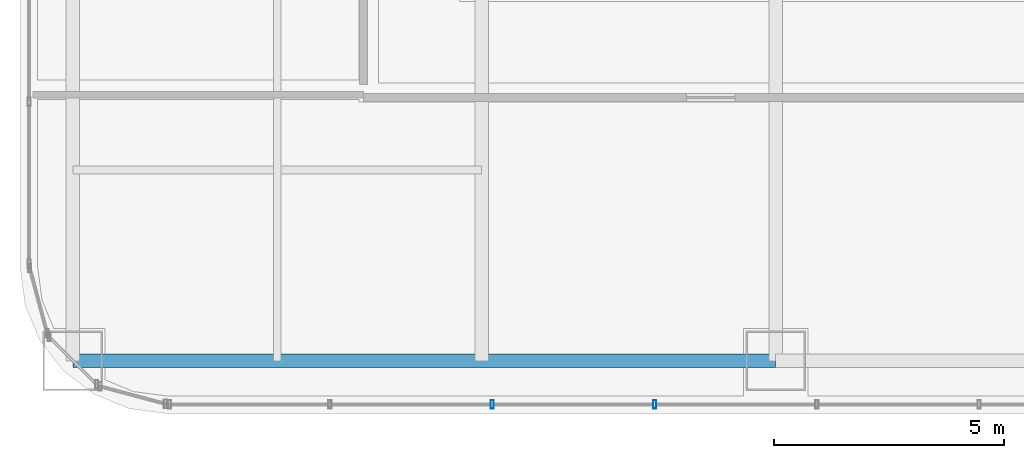
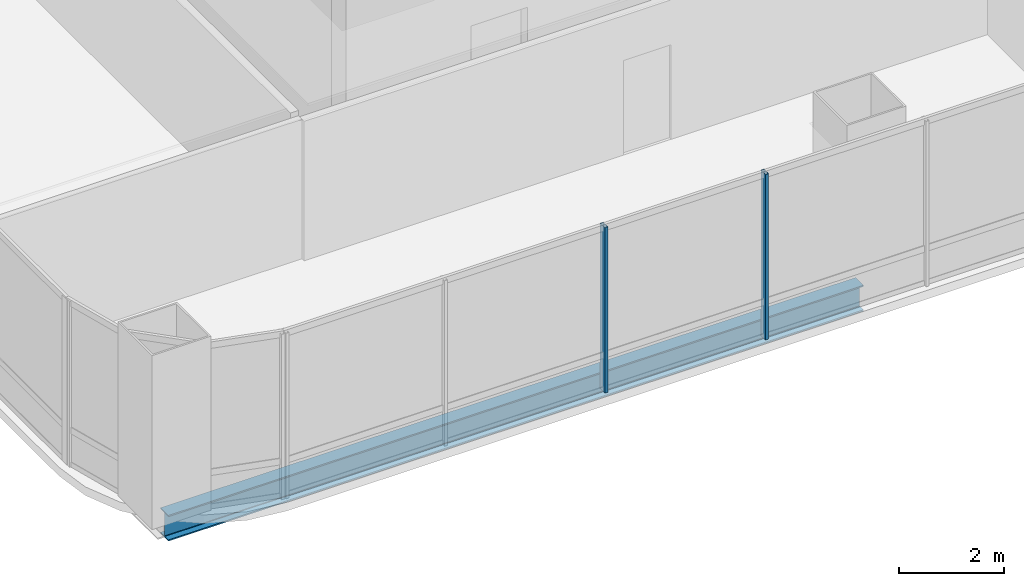
# One storey, part 3 of 39: 2 members, 1 beam, 1 element without a shape of its own.
"""IFC4 building model written with IfcOpenShell, lengths in metres."""

import ifcopenshell
import ifcopenshell.guid

model = None  # the IFC model being written
_history = None  # IfcOwnerHistory: only IFC2X3 demands one
_inside = {}  # id of a spatial element -> (the spatial element, [elements in it])
_under = {}  # id of a project, library or spatial element -> (it, [spatial elements below it])
_declared = {}  # id of a project -> (the project, [libraries it declares])
_typed = {}  # id of a type object -> (the type object, [elements of that type])
_made_of = {}  # id of a material, layer set ... -> (it, [elements and type objects made of it])


def new_model(schema):
    """Start an empty IFC model of exactly this schema.

    Asked for "IFC4X3", IfcOpenShell would pick the latest addendum, in which some entities
    have other attributes; the version numbers below select the first issue.
    IFC2X3 requires an IfcOwnerHistory on every rooted entity: one is made here for all.
    """
    global model, _history
    if schema == "IFC4X3":
        model = ifcopenshell.file(schema_version=(4, 3, 0, 0))
    else:
        model = ifcopenshell.file(schema=schema)
    _inside.clear()
    _under.clear()
    _declared.clear()
    _typed.clear()
    _made_of.clear()
    _history = None
    if model.schema == "IFC2X3":
        org = make("IfcOrganization", Name="unknown")
        user = make(
            "IfcPersonAndOrganization",
            ThePerson=make("IfcPerson", FamilyName="unknown"),
            TheOrganization=org,
        )
        app = make(
            "IfcApplication",
            ApplicationDeveloper=org,
            Version="unknown",
            ApplicationFullName="unknown",
            ApplicationIdentifier="unknown",
        )
        _history = make(
            "IfcOwnerHistory",
            OwningUser=user,
            OwningApplication=app,
            ChangeAction="ADDED",
            CreationDate=0,
        )
    return model


def make(cls, **values):
    """One entity of the class cls with the attributes given. An attribute that is None is left unset."""
    return model.create_entity(
        cls, **{name: value for name, value in values.items() if value is not None}
    )


def rooted(cls, **values):
    """An entity with a GlobalId (a new one), such as an element, a storey or a relation."""
    return make(cls, GlobalId=ifcopenshell.guid.new(), OwnerHistory=_history, **values)


def si_unit(unit_type, name, prefix=None):
    """IfcSIUnit, for example si_unit("LENGTHUNIT", "METRE", prefix="MILLI")."""
    return make("IfcSIUnit", UnitType=unit_type, Prefix=prefix, Name=name)


def assignment(units):
    """IfcUnitAssignment: the units of a project."""
    return None if units is None else make("IfcUnitAssignment", Units=units)


def point(xyz):
    """IfcCartesianPoint."""
    return None if xyz is None else make("IfcCartesianPoint", Coordinates=xyz)


def direction(xyz):
    """IfcDirection."""
    return None if xyz is None else make("IfcDirection", DirectionRatios=xyz)


def frame(location, z_axis=None, x_axis=None):
    """IfcAxis2Placement3D, a coordinate frame: its origin and axes. An axis left out is left unset."""
    return make(
        "IfcAxis2Placement3D",
        Location=point(location),
        Axis=direction(z_axis),
        RefDirection=direction(x_axis),
    )


def frame_2d(location, x_axis=None):
    """IfcAxis2Placement2D, a coordinate frame in the plane: its origin and x axis."""
    return make(
        "IfcAxis2Placement2D", Location=point(location), RefDirection=direction(x_axis)
    )


def origin():
    """The frame at (0, 0, 0) with its axes left unset."""
    return frame((0.0, 0.0, 0.0))


def origin_2d():
    """The frame at (0, 0) in the plane with its x axis left unset."""
    return frame_2d((0.0, 0.0))


def place(relative_to, where):
    """IfcLocalPlacement: puts the frame where relative to a parent placement (None: the world)."""
    return make(
        "IfcLocalPlacement", PlacementRelTo=relative_to, RelativePlacement=where
    )


def context(
    kind, dimensions, precision=None, world=None, true_north=None, identifier=None
):
    """IfcGeometricRepresentationContext, for example the 3D "Model" context."""
    return make(
        "IfcGeometricRepresentationContext",
        ContextIdentifier=identifier,
        ContextType=kind,
        CoordinateSpaceDimension=dimensions,
        Precision=precision,
        WorldCoordinateSystem=world,
        TrueNorth=true_north,
    )


def subcontext(parent, identifier, kind, view, scale=None):
    """IfcGeometricRepresentationSubContext, for example "Body" below "Model"."""
    return make(
        "IfcGeometricRepresentationSubContext",
        ContextIdentifier=identifier,
        ContextType=kind,
        ParentContext=parent,
        TargetScale=scale,
        TargetView=view,
    )


def project(units=None, contexts=None):
    """IfcProject with its units and contexts."""
    return rooted(
        "IfcProject",
        Name="project",
        RepresentationContexts=contexts,
        UnitsInContext=assignment(units),
    )


def spatial(cls, under=None, at=None, **own):
    """A site, building, storey or space (cls), placed at a placement, below another one or the project."""
    s = rooted(cls, ObjectPlacement=at, **own)
    if under is not None:
        _under.setdefault(under.id(), (under, []))[1].append(s)
    return s


def profile(cls, at=None, kind="AREA", **sizes):
    """A parametric profile (cls). Its sizes go by their IFC names, for example OverallWidth=200.0."""
    return make(cls, ProfileType=kind, Position=at, **sizes)


def hollow_rectangle(**sizes):
    """IfcRectangleHollowProfileDef."""
    return profile("IfcRectangleHollowProfileDef", **sizes)


def i_section(**sizes):
    """IfcIShapeProfileDef."""
    return profile("IfcIShapeProfileDef", **sizes)


def extrude(swept, where, along, depth):
    """IfcExtrudedAreaSolid: the profile swept, set in the frame where, extruded along a direction by depth."""
    return make(
        "IfcExtrudedAreaSolid",
        SweptArea=swept,
        Position=where,
        ExtrudedDirection=direction(along),
        Depth=depth,
    )


def shape(context_of_items, identifier, shape_type, items):
    """IfcShapeRepresentation: the items that make up one representation, for example the "Body"."""
    return make(
        "IfcShapeRepresentation",
        ContextOfItems=context_of_items,
        RepresentationIdentifier=identifier,
        RepresentationType=shape_type,
        Items=items,
    )


def material(Name=None, Category=None):
    """IfcMaterial."""
    return make("IfcMaterial", Name=Name, Category=Category)


def material_profile(
    of_material, cross_section, Name=None, Category=None, Priority=None
):
    """IfcMaterialProfile: a cross section and its material."""
    return make(
        "IfcMaterialProfile",
        Name=Name,
        Material=of_material,
        Profile=cross_section,
        Priority=Priority,
        Category=Category,
    )


def profile_set(profiles, Name=None, composite=None):
    """IfcMaterialProfileSet."""
    return make(
        "IfcMaterialProfileSet",
        Name=Name,
        MaterialProfiles=profiles,
        CompositeProfile=composite,
    )


def made_of(thing, what):
    """Note that an element or type object is made of a material, layer set ...; save() writes the relation."""
    if what is not None:
        _made_of.setdefault(what.id(), (what, []))[1].append(thing)
    return thing


def type_object(cls, material=None, **own):
    """A type object (cls), such as IfcWallType, which elements share."""
    return made_of(rooted(cls, **own), material)


def element(
    cls,
    number,
    at=None,
    inside=None,
    cuts=None,
    type_object=None,
    material=None,
    context=None,
    identifier="Body",
    shape_type=None,
    held_by="IfcProductDefinitionShape",
    body=None,
    shapes=None,
    **own,
):
    """One element of the class cls, such as IfcWall. Its Tag is "e" and its number.

    at: its placement. inside: the storey or other place that contains it. cuts: it is an
    opening in that element (IfcRelVoidsElement). A single representation is given by context,
    identifier, shape_type and body (its items); several are given by shapes. held_by: the class
    of the entity that holds the representations. save() writes the other relations.
    """
    e = rooted(cls, Tag="e%d" % number, ObjectPlacement=at, **own)
    if body is not None:
        shapes = [shape(context, identifier, shape_type, body)]
    if shapes is not None:
        e.Representation = make(held_by, Representations=shapes)
    if inside is not None:
        _inside.setdefault(inside.id(), (inside, []))[1].append(e)
    if cuts is not None:
        rooted(
            "IfcRelVoidsElement", RelatingBuildingElement=cuts, RelatedOpeningElement=e
        )
    if type_object is not None:
        _typed.setdefault(type_object.id(), (type_object, []))[1].append(e)
    return made_of(e, material)


def aggregate(whole, parts):
    """IfcRelAggregates: a whole, such as a stair, and the parts it consists of."""
    return rooted("IfcRelAggregates", RelatingObject=whole, RelatedObjects=parts)


def save(model, path):
    """Write the relations noted so far, then the file.

    IfcRelAggregates (storeys below a building ...), IfcRelContainedInSpatialStructure (elements
    in a storey), IfcRelDefinesByType, IfcRelAssociatesMaterial and IfcRelDeclares: one each for
    every whole, place, type object, material and project.
    """
    for whole, parts in _under.values():
        aggregate(whole, parts)
    for where, things in _inside.values():
        rooted(
            "IfcRelContainedInSpatialStructure",
            RelatedElements=things,
            RelatingStructure=where,
        )
    for kind, things in _typed.values():
        rooted("IfcRelDefinesByType", RelatedObjects=things, RelatingType=kind)
    for what, things in _made_of.values():
        rooted("IfcRelAssociatesMaterial", RelatedObjects=things, RelatingMaterial=what)
    for by, libraries in _declared.values():
        rooted("IfcRelDeclares", RelatingContext=by, RelatedDefinitions=libraries)
    model.write(path)


model = new_model("IFC4")

# Units and contexts
model_context = context("Model", 3, precision=1e-05, world=origin(), true_north=direction((0.0, 1.0)))
body_context = subcontext(model_context, "Body", "Model", "MODEL_VIEW")
ifc_project = project(units=[si_unit("LENGTHUNIT", "METRE"), si_unit("AREAUNIT", "SQUARE_METRE"), si_unit("VOLUMEUNIT", "CUBIC_METRE"), si_unit("PLANEANGLEUNIT", "RADIAN"), si_unit("MASSUNIT", "GRAM", prefix="KILO")], contexts=[model_context])

# Site, building, storey
site_placement = place(None, origin())
site = spatial("IfcSite", under=ifc_project, at=site_placement, CompositionType="ELEMENT")
building_placement = place(site_placement, origin())
building = spatial("IfcBuilding", under=site, at=building_placement, Name="Punatoya Terracotta Tower", CompositionType="ELEMENT")
storey_placement = place(building_placement, frame((0.0, 0.0, 275.699951171875)))
storey = spatial("IfcBuildingStorey", under=building, at=storey_placement, Name="L65", CompositionType="ELEMENT", Elevation=275.699951171875)

# Beam
ifc_material_1 = material(Name="Steel S355", Category="steel")
ifc_material_profile_1 = material_profile(ifc_material_1, i_section(OverallWidth=0.300048828125, OverallDepth=0.60009765625, WebThickness=0.015380859375, FlangeThickness=0.030029296875, FilletRadius=0.01806640625, at=origin_2d()))
ifc_profile_set_1 = profile_set([ifc_material_profile_1], Name="Steel S355")
beam_type = type_object("IfcBeamType", Name="BM-PRI-600", PredefinedType="BEAM", material=ifc_profile_set_1)
beam_placement = place(storey_placement, frame((-19.10009765625, -17.5, -0.5), z_axis=(1.0, 0.0, 0.0), x_axis=(0.0, 1.0, 0.0)))
element("IfcBeam", 1, at=beam_placement, inside=storey, type_object=beam_type, Name="BM-L65-RG-S1", PredefinedType="BEAM", context=body_context, shape_type="SweptSolid", body=[
    extrude(i_section(OverallWidth=0.300048828125, OverallDepth=0.60009765625, WebThickness=0.015380859375, FlangeThickness=0.030029296875, FilletRadius=0.01806640625, at=origin_2d()), origin(), (0.0, 0.0, 1.0), 15.300048828125),
])

# Curtain wall, members
ifc_material_2 = material(Name="Aluminium 6063-T6 + Double Low-E Glass", Category="aluminium")
curtain_wall_type = type_object("IfcCurtainWallType", Name="CW-M3", PredefinedType="NOTDEFINED", material=ifc_material_2)
curtain_wall_placement = place(storey_placement, origin())
curtain_wall = element("IfcCurtainWall", 2, at=curtain_wall_placement, inside=storey, type_object=curtain_wall_type, Name="L65 Curtain Wall CW-L65-S01-1", PredefinedType="NOTDEFINED")
ifc_material_3 = material(Name="Aluminium 6063-T6", Category="aluminium")
ifc_material_profile_2 = material_profile(ifc_material_3, hollow_rectangle(XDim=0.070068359375, YDim=0.179931640625, WallThickness=0.00390625, at=origin_2d()))
ifc_profile_set_2 = profile_set([ifc_material_profile_2], Name="Aluminium 6063-T6")
member_type = type_object("IfcMemberType", Name="CW-MUL-M3", PredefinedType="MULLION", material=ifc_profile_set_2)
member_1_placement = place(storey_placement, frame((-9.968994140625, -18.449951171875, 0.0), z_axis=(0.0, 0.0, 1.0), x_axis=(1.0, 0.0, 0.0)))
member_1 = element("IfcMember", 3, at=member_1_placement, type_object=member_type, Name="CW-L65-S01-1 Mullion 02", PredefinedType="MULLION", context=body_context, shape_type="SweptSolid", body=[
    extrude(hollow_rectangle(XDim=0.070068359375, YDim=0.179931640625, WallThickness=0.00390625, at=origin_2d()), origin(), (0.0, 0.0, 1.0), 3.85009765625),
])
member_2_placement = place(storey_placement, frame((-6.43505859375, -18.449951171875, 0.0), z_axis=(0.0, 0.0, 1.0), x_axis=(1.0, 0.0, 0.0)))
member_2 = element("IfcMember", 4, at=member_2_placement, type_object=member_type, Name="CW-L65-S01-1 Mullion 03", PredefinedType="MULLION", context=body_context, shape_type="SweptSolid", body=[
    extrude(hollow_rectangle(XDim=0.070068359375, YDim=0.179931640625, WallThickness=0.00390625, at=origin_2d()), origin(), (0.0, 0.0, 1.0), 3.85009765625),
])
aggregate(curtain_wall, [member_1, member_2])

save(model, "model.ifc")
